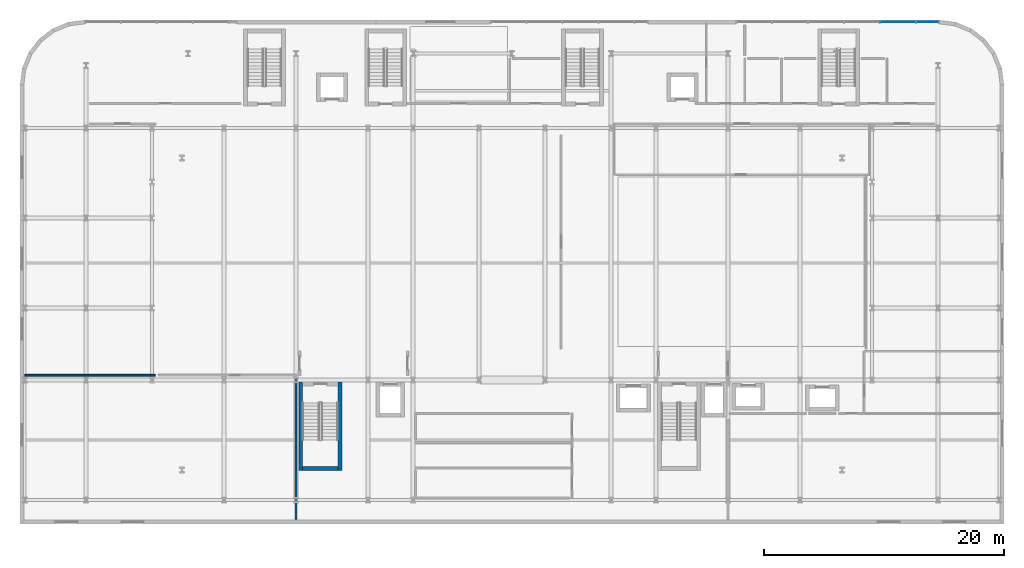
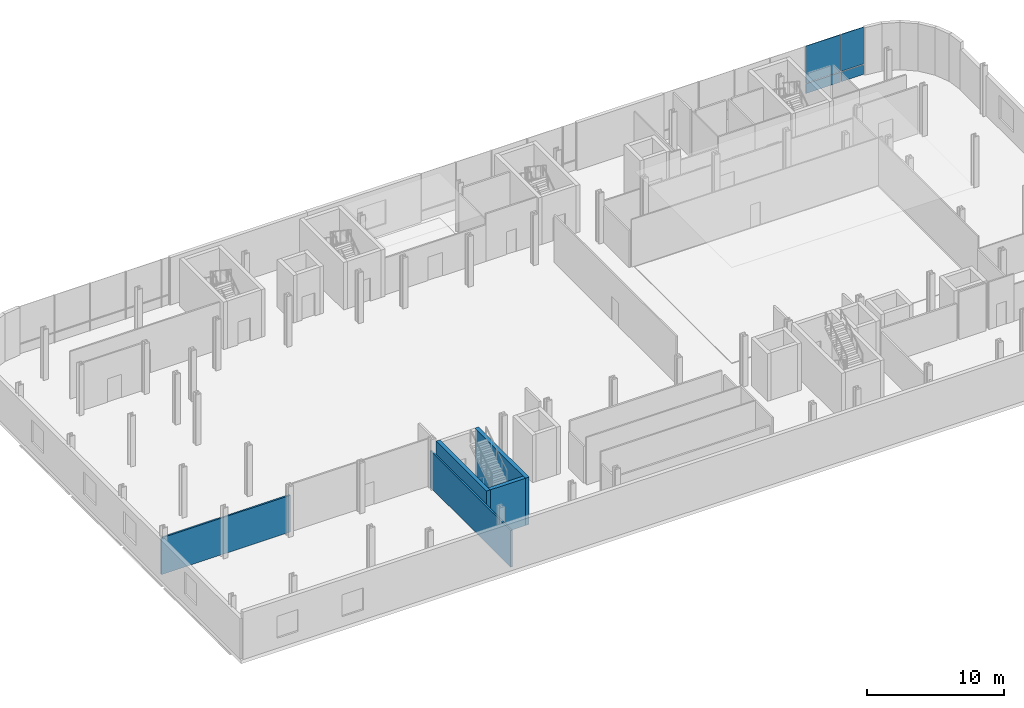
# One storey, part 16 of 25: 5 walls, 4 plates, 1 element without a shape of its own.
"""IFC4 building model written with IfcOpenShell, lengths in metres."""

from ifc_helpers import new_model, si_unit, direction, frame, frame_2d, origin, origin_2d, place, context, subcontext, project, spatial, rectangle, extrude, material, layer, layer_set, type_object, element, aggregate, save


model = new_model("IFC4")

# Units and contexts
model_context = context("Model", 3, precision=1e-05, world=origin(), true_north=direction((0.0, 1.0)))
body_context = subcontext(model_context, "Body", "Model", "MODEL_VIEW")
ifc_project = project(units=[si_unit("LENGTHUNIT", "METRE"), si_unit("AREAUNIT", "SQUARE_METRE"), si_unit("VOLUMEUNIT", "CUBIC_METRE"), si_unit("PLANEANGLEUNIT", "RADIAN"), si_unit("MASSUNIT", "GRAM", prefix="KILO")], contexts=[model_context])

# Site, building, storey
site_placement = place(None, origin())
site = spatial("IfcSite", under=ifc_project, at=site_placement, CompositionType="ELEMENT")
building_placement = place(site_placement, origin())
building = spatial("IfcBuilding", under=site, at=building_placement, Name="Brevholm Reach", CompositionType="ELEMENT")
storey_placement = place(building_placement, frame((0.0, 0.0, 4.5)))
storey = spatial("IfcBuildingStorey", under=building, at=storey_placement, Name="L01", CompositionType="ELEMENT", Elevation=4.5)

# Curtain wall, plates
ifc_material_1 = material(Name="Dark Anodised Aluminium 6063-T6 and Solar-Control Glass", Category="aluminium")
ifc_layer_1 = layer(ifc_material_1, 0.1650390625)
ifc_layer_set_1 = layer_set([ifc_layer_1], Name="Dark Anodised Aluminium 6063-T6 and Solar-Control Glass")
curtain_wall_type = type_object("IfcCurtainWallType", Name="CW-03", PredefinedType="NOTDEFINED", material=ifc_layer_set_1)
curtain_wall_placement = place(storey_placement, origin())
curtain_wall = element("IfcCurtainWall", 1, at=curtain_wall_placement, inside=storey, type_object=curtain_wall_type, Name="L01 Curtain Wall CW-03", PredefinedType="NOTDEFINED")
ifc_material_2 = material(Name="Triple-Glazed Acoustic School IGU Glass", Category="glass")
ifc_layer_2 = layer(ifc_material_2, 0.0439453125)
ifc_layer_set_2 = layer_set([ifc_layer_2], Name="Triple-Glazed Acoustic School IGU Glass")
plate_type = type_object("IfcPlateType", Name="CWP-ACU-44", PredefinedType="CURTAIN_PANEL", material=ifc_layer_set_2)
plate_1_placement = place(storey_placement, frame((62.14990234375, 39.830078125, 0.0), z_axis=(0.0, 0.0, 1.0), x_axis=(1.0, 0.0, 0.0)))
plate_1 = element("IfcPlate", 2, at=plate_1_placement, type_object=plate_type, Name="CP-03 Glazing Panel 5.1", PredefinedType="CURTAIN_PANEL", context=body_context, shape_type="SweptSolid", body=[
    extrude(rectangle(XDim=2.929931640625, YDim=0.0439453125, at=origin_2d()), origin(), (0.0, 0.0, 1.0), 0.864990234375),
])
plate_2_placement = place(storey_placement, frame((62.14990234375, 39.830078125, 0.93505859375), z_axis=(0.0, 0.0, 1.0), x_axis=(1.0, 0.0, 0.0)))
plate_2 = element("IfcPlate", 3, at=plate_2_placement, type_object=plate_type, Name="CP-03 Glazing Panel 5.2", PredefinedType="CURTAIN_PANEL", context=body_context, shape_type="SweptSolid", body=[
    extrude(rectangle(XDim=2.929931640625, YDim=0.0439453125, at=origin_2d()), origin(), (0.0, 0.0, 1.0), 3.284912109375),
])
plate_3_placement = place(storey_placement, frame((64.607421875, 39.830078125, 0.0), z_axis=(0.0, 0.0, 1.0), x_axis=(1.0, 0.0, 0.0)))
plate_3 = element("IfcPlate", 4, at=plate_3_placement, type_object=plate_type, Name="CP-03 Glazing Panel 6.1", PredefinedType="CURTAIN_PANEL", context=body_context, shape_type="SweptSolid", body=[
    extrude(rectangle(XDim=1.844970703125, YDim=0.0439453125, at=origin_2d()), origin(), (0.0, 0.0, 1.0), 0.864990234375),
])
plate_4_placement = place(storey_placement, frame((64.607421875, 39.830078125, 0.93505859375), z_axis=(0.0, 0.0, 1.0), x_axis=(1.0, 0.0, 0.0)))
plate_4 = element("IfcPlate", 5, at=plate_4_placement, type_object=plate_type, Name="CP-03 Glazing Panel 6.2", PredefinedType="CURTAIN_PANEL", context=body_context, shape_type="SweptSolid", body=[
    extrude(rectangle(XDim=1.844970703125, YDim=0.0439453125, at=origin_2d()), origin(), (0.0, 0.0, 1.0), 3.284912109375),
])
aggregate(curtain_wall, [plate_1, plate_2, plate_3, plate_4])

# Walls
ifc_material_3 = material(Name="Concrete C60/75", Category="concrete")
ifc_layer_3 = layer(ifc_material_3, 0.320068359375)
ifc_layer_set_3 = layer_set([ifc_layer_3], Name="Concrete C60/75")
wall_type_1 = type_object("IfcWallType", Name="WAL-COR-320", PredefinedType="SHEAR", material=ifc_layer_set_3)
for number, where, z_axis, x_axis, name in (
    (6, (12.389892578125, 2.4599609375, 0.0), (0.0, 0.0, 1.0), (0.0, 1.0, 0.0), "L01 Escape Stair ST-1 Core Wall W"),
    (7, (15.659912109375, 2.4599609375, 0.0), (0.0, 0.0, 1.0), (0.0, 1.0, 0.0), "L01 Escape Stair ST-1 Core Wall E"),
):
    element("IfcWall", number, at=place(storey_placement, frame(where, z_axis=z_axis, x_axis=x_axis)), inside=storey, type_object=wall_type_1, Name=name, PredefinedType="SHEAR", context=body_context, shape_type="SweptSolid", body=[
        extrude(rectangle(XDim=7.360107421875, YDim=0.320068359375, at=frame_2d((3.68017578125, 0.0))), origin(), (0.0, 0.0, 1.0), 4.219970703125),
    ])
wall_1_placement = place(storey_placement, frame((12.550048828125, 2.6201171875, 0.0), z_axis=(0.0, 0.0, 1.0), x_axis=(1.0, 0.0, 0.0)))
element("IfcWall", 8, at=wall_1_placement, inside=storey, type_object=wall_type_1, Name="L01 Escape Stair ST-1 Core Wall S", PredefinedType="SHEAR", context=body_context, shape_type="SweptSolid", body=[
    extrude(rectangle(XDim=2.949951171875, YDim=0.320068359375, at=frame_2d((1.47509765625, 0.0))), origin(), (0.0, 0.0, 1.0), 4.219970703125),
])
ifc_material_4 = material(Name="Twin-Stud Acoustic Fire-Rated Gypsum Partition 140 mm", Category="gypsum")
ifc_layer_4 = layer(ifc_material_4, 0.139892578125)
ifc_layer_set_4 = layer_set([ifc_layer_4], Name="Twin-Stud Acoustic Fire-Rated Gypsum Partition 140 mm")
wall_type_2 = type_object("IfcWallType", Name="WAL-PRT-140", PredefinedType="PARTITIONING", material=ifc_layer_set_4)
wall_2_placement = place(storey_placement, frame((12.0, -1.590087890625, 0.0), z_axis=(0.0, 0.0, 1.0), x_axis=(0.0, 1.0, 0.0)))
element("IfcWall", 9, at=wall_2_placement, inside=storey, type_object=wall_type_2, Name="L01 Internal Partition 047", PredefinedType="PARTITIONING", context=body_context, shape_type="SweptSolid", body=[
    extrude(rectangle(XDim=11.75, YDim=0.139892578125, at=frame_2d((5.875, 0.0))), origin(), (0.0, 0.0, 1.0), 3.268310546875),
])
wall_3_placement = place(storey_placement, frame((-10.590087890625, 10.39990234375, 0.0), z_axis=(0.0, 0.0, 1.0), x_axis=(1.0, 0.0, 0.0)))
element("IfcWall", 10, at=wall_3_placement, inside=storey, type_object=wall_type_2, Name="L01 Internal Partition 048", PredefinedType="PARTITIONING", context=body_context, shape_type="SweptSolid", body=[
    extrude(rectangle(XDim=10.85009765625, YDim=0.139892578125, at=frame_2d((5.425048828125, 0.0))), origin(), (0.0, 0.0, 1.0), 3.268310546875),
])

save(model, "model.ifc")
